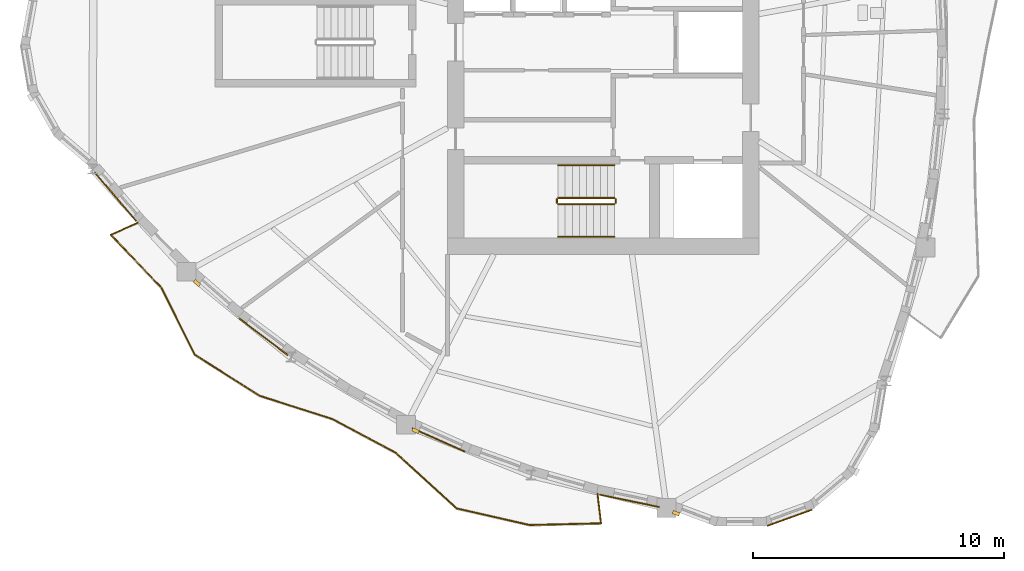
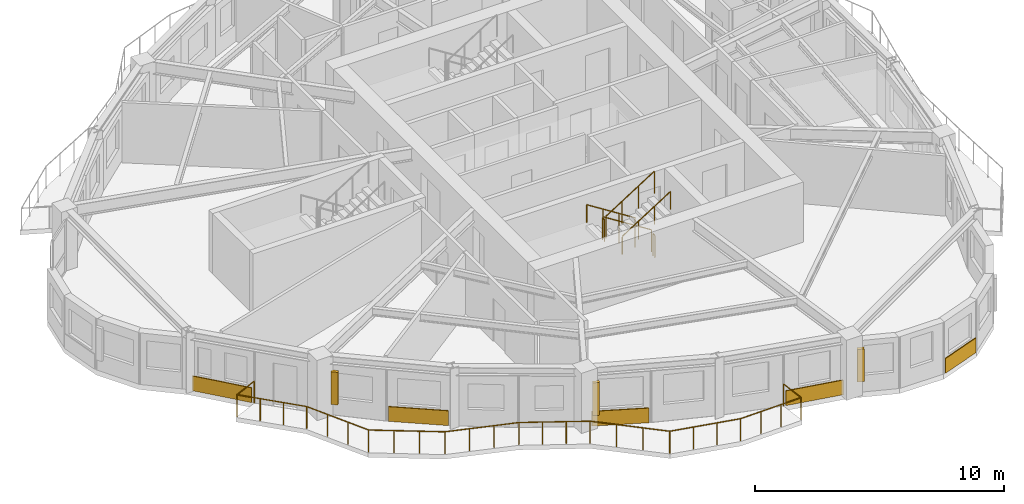
# One storey, part 10 of 13: 7 railings, 5 coverings, 3 shading devices.
"""IFC4 building model written with IfcOpenShell, lengths in metres."""

from ifc_helpers import new_model, si_unit, direction, frame, origin, origin_2d, place, context, subcontext, project, spatial, rectangle, circle, extrude, source, transform, mapped, material, layer, layer_set, type_object, element, save


model = new_model("IFC4")

# Units and contexts
model_context = context("Model", 3, precision=1e-05, world=origin(), true_north=direction((0.0, 1.0)))
body_context = subcontext(model_context, "Body", "Model", "MODEL_VIEW")
ifc_project = project(units=[si_unit("LENGTHUNIT", "METRE"), si_unit("AREAUNIT", "SQUARE_METRE"), si_unit("VOLUMEUNIT", "CUBIC_METRE"), si_unit("PLANEANGLEUNIT", "RADIAN"), si_unit("MASSUNIT", "GRAM", prefix="KILO")], contexts=[model_context])

# Site, building, storey
site_placement = place(None, origin())
site = spatial("IfcSite", under=ifc_project, at=site_placement, CompositionType="ELEMENT")
building_placement = place(site_placement, origin())
building = spatial("IfcBuilding", under=site, at=building_placement, Name="Qafzar Sky-Pleat Residences", CompositionType="ELEMENT")
storey_placement = place(building_placement, frame((0.0, 0.0, 136.199951171875)))
storey = spatial("IfcBuildingStorey", under=building, at=storey_placement, Name="L40", CompositionType="ELEMENT", Elevation=136.199951171875)

# Shading devices
ifc_material_1 = material(Name="Honed Riyadh limestone solar fin", Category="masonry")
ifc_layer_1 = layer(ifc_material_1, 0.139892578125)
ifc_layer_set_1 = layer_set([ifc_layer_1], Name="Honed Riyadh limestone solar fin")
shading_device_type = type_object("IfcShadingDeviceType", Name="SHD-FIN-STONE", PredefinedType="SHUTTER", material=ifc_layer_set_1)
shared_shape_1 = source(origin(), body_context, "Body", "SweptSolid", [
    extrude(rectangle(XDim=0.139892578125, YDim=0.280029296875, at=origin_2d()), origin(), (0.0, 0.0, 1.0), 1.60009765625),
])
for number, where, z_axis, x_axis, name in (
    (1, (14.178955078125, 16.413330078125, 0.60009765625), (0.0, 0.0, 1.0), (-0.660132960779, -0.751148769615, 0.0), "L40 Limestone Solar Fin 9"),
    (2, (22.881591796875, 10.528564453125, 0.60009765625), (0.0, 0.0, 1.0), (-0.407475255667, -0.913216248223, 0.0), "L40 Limestone Solar Fin 13"),
    (3, (33.251220703125, 7.247802734375, 0.60009765625), (0.0, 0.0, 1.0), (-0.349548623526, -0.936918224709, 0.0), "L40 Limestone Solar Fin 17"),
):
    element("IfcShadingDevice", number, at=place(storey_placement, frame(where, z_axis=z_axis, x_axis=x_axis)), inside=storey, type_object=shading_device_type, Name=name, PredefinedType="SHUTTER", context=body_context, shape_type="MappedRepresentation", body=[
        mapped(shared_shape_1, transform((0.0, 0.0, 0.0), x_axis=(1.0, 0.0, 0.0), y_axis=(0.0, 1.0, 0.0), z_axis=(0.0, 0.0, 1.0), scale=1.0)),
    ])

# Railing
ifc_material_2 = material(Name="Laminated glass and bronze steel balustrade", Category="steel")
railing_type_1 = type_object("IfcRailingType", Name="RAIL-BAL-1100", PredefinedType="BALUSTRADE", material=ifc_material_2)
shared_shape_2 = source(origin(), body_context, "Body", "SweptSolid", [
    extrude(circle(Radius=0.02392578125, at=origin_2d()), frame((0.0, 0.0, 1.076171875), z_axis=(-0.913854279683, -0.40604230753, 0.0), x_axis=(0.40604230753, -0.913854279683, 0.0)), (0.0, 0.0, 1.0), 1.177978515625),
    extrude(circle(Radius=0.02392578125, at=origin_2d()), frame((-1.076416015625, -0.478271484375, 1.076171875), z_axis=(0.689122792825, -0.724644586269, 0.0), x_axis=(0.724644586269, 0.689122792825, 0.0)), (0.0, 0.0, 1.0), 2.9208984375),
    extrude(circle(Radius=0.02392578125, at=origin_2d()), frame((0.9365234375, -2.594970703125, 1.076171875), z_axis=(0.446688581475, -0.89468950546, 0.0), x_axis=(0.89468950546, 0.446688581475, 0.0)), (0.0, 0.0, 1.0), 2.9765625),
    extrude(circle(Radius=0.02392578125, at=origin_2d()), frame((2.26611328125, -5.258056640625, 1.076171875), z_axis=(0.844789039348, -0.535099503829, 0.0), x_axis=(0.535099503829, 0.844789039348, 0.0)), (0.0, 0.0, 1.0), 3.06201171875),
    extrude(circle(Radius=0.02392578125, at=origin_2d()), frame((4.852783203125, -6.896484375, 1.076171875), z_axis=(0.952897316777, -0.303293098635, 0.0), x_axis=(0.303293098635, 0.952897316777, 0.0)), (0.0, 0.0, 1.0), 3.0419921875),
    extrude(circle(Radius=0.02392578125, at=origin_2d()), frame((7.75146484375, -7.819091796875, 1.076171875), z_axis=(0.881975846581, -0.471294606428, 0.0), x_axis=(0.471294606428, 0.881975846581, 0.0)), (0.0, 0.0, 1.0), 2.851806640625),
    extrude(circle(Radius=0.02392578125, at=origin_2d()), frame((10.2666015625, -9.1630859375, 1.076171875), z_axis=(0.73837595061, -0.674389320468, 0.0), x_axis=(0.674389320468, 0.73837595061, 0.0)), (0.0, 0.0, 1.0), 3.28125),
    extrude(circle(Radius=0.02392578125, at=origin_2d()), frame((12.689453125, -11.3759765625, 1.076171875), z_axis=(0.97508449736, -0.221833773369, 0.0), x_axis=(0.221833773369, 0.97508449736, 0.0)), (0.0, 0.0, 1.0), 2.97705078125),
    extrude(circle(Radius=0.02392578125, at=origin_2d()), frame((15.59228515625, -12.036376953125, 1.076171875), z_axis=(0.999727601991, 0.023339276263, 0.0), x_axis=(-0.023339276263, 0.999727601991, 0.0)), (0.0, 0.0, 1.0), 2.84521484375),
    extrude(circle(Radius=0.02392578125, at=origin_2d()), frame((18.436767578125, -11.969970703125, 1.076171875), z_axis=(-0.117526723313, 0.993069720265, 0.0), x_axis=(-0.993069720265, -0.117526723313, 0.0)), (0.0, 0.0, 1.0), 1.177734375),
    extrude(circle(Radius=0.02099609375, at=origin_2d()), origin(), (0.0, 0.0, 1.0), 1.052001953125),
    extrude(circle(Radius=0.02099609375, at=origin_2d()), frame((-1.076416015625, -0.478271484375, 0.0)), (0.0, 0.0, 1.0), 1.052001953125),
    extrude(circle(Radius=0.02099609375, at=origin_2d()), frame((-0.405517578125, -1.183837890625, 0.0)), (0.0, 0.0, 1.0), 1.052001953125),
    extrude(circle(Radius=0.02099609375, at=origin_2d()), frame((0.265625, -1.889404296875, 0.0)), (0.0, 0.0, 1.0), 1.052001953125),
    extrude(circle(Radius=0.02099609375, at=origin_2d()), frame((0.9365234375, -2.594970703125, 0.0)), (0.0, 0.0, 1.0), 1.052001953125),
    extrude(circle(Radius=0.02099609375, at=origin_2d()), frame((1.379638671875, -3.482666015625, 0.0)), (0.0, 0.0, 1.0), 1.052001953125),
    extrude(circle(Radius=0.02099609375, at=origin_2d()), frame((1.822998046875, -4.370361328125, 0.0)), (0.0, 0.0, 1.0), 1.052001953125),
    extrude(circle(Radius=0.02099609375, at=origin_2d()), frame((2.26611328125, -5.258056640625, 0.0)), (0.0, 0.0, 1.0), 1.052001953125),
    extrude(circle(Radius=0.02099609375, at=origin_2d()), frame((3.12841796875, -5.80419921875, 0.0)), (0.0, 0.0, 1.0), 1.052001953125),
    extrude(circle(Radius=0.02099609375, at=origin_2d()), frame((3.990478515625, -6.350341796875, 0.0)), (0.0, 0.0, 1.0), 1.052001953125),
    extrude(circle(Radius=0.02099609375, at=origin_2d()), frame((4.852783203125, -6.896484375, 0.0)), (0.0, 0.0, 1.0), 1.052001953125),
    extrude(circle(Radius=0.02099609375, at=origin_2d()), frame((5.819091796875, -7.2041015625, 0.0)), (0.0, 0.0, 1.0), 1.052001953125),
    extrude(circle(Radius=0.02099609375, at=origin_2d()), frame((6.78515625, -7.511474609375, 0.0)), (0.0, 0.0, 1.0), 1.052001953125),
    extrude(circle(Radius=0.02099609375, at=origin_2d()), frame((7.75146484375, -7.819091796875, 0.0)), (0.0, 0.0, 1.0), 1.052001953125),
    extrude(circle(Radius=0.02099609375, at=origin_2d()), frame((8.58984375, -8.26708984375, 0.0)), (0.0, 0.0, 1.0), 1.052001953125),
    extrude(circle(Radius=0.02099609375, at=origin_2d()), frame((9.42822265625, -8.715087890625, 0.0)), (0.0, 0.0, 1.0), 1.052001953125),
    extrude(circle(Radius=0.02099609375, at=origin_2d()), frame((10.2666015625, -9.1630859375, 0.0)), (0.0, 0.0, 1.0), 1.052001953125),
    extrude(circle(Radius=0.02099609375, at=origin_2d()), frame((11.07421875, -9.900634765625, 0.0)), (0.0, 0.0, 1.0), 1.052001953125),
    extrude(circle(Radius=0.02099609375, at=origin_2d()), frame((11.8818359375, -10.638427734375, 0.0)), (0.0, 0.0, 1.0), 1.052001953125),
    extrude(circle(Radius=0.02099609375, at=origin_2d()), frame((12.689453125, -11.3759765625, 0.0)), (0.0, 0.0, 1.0), 1.052001953125),
    extrude(circle(Radius=0.02099609375, at=origin_2d()), frame((13.656982421875, -11.59619140625, 0.0)), (0.0, 0.0, 1.0), 1.052001953125),
    extrude(circle(Radius=0.02099609375, at=origin_2d()), frame((14.624755859375, -11.816162109375, 0.0)), (0.0, 0.0, 1.0), 1.052001953125),
    extrude(circle(Radius=0.02099609375, at=origin_2d()), frame((15.59228515625, -12.036376953125, 0.0)), (0.0, 0.0, 1.0), 1.052001953125),
    extrude(circle(Radius=0.02099609375, at=origin_2d()), frame((16.54052734375, -12.01416015625, 0.0)), (0.0, 0.0, 1.0), 1.052001953125),
    extrude(circle(Radius=0.02099609375, at=origin_2d()), frame((17.488525390625, -11.9921875, 0.0)), (0.0, 0.0, 1.0), 1.052001953125),
    extrude(circle(Radius=0.02099609375, at=origin_2d()), frame((18.436767578125, -11.969970703125, 0.0)), (0.0, 0.0, 1.0), 1.052001953125),
    extrude(circle(Radius=0.02099609375, at=origin_2d()), frame((18.29833984375, -10.80029296875, 0.0)), (0.0, 0.0, 1.0), 1.052001953125),
])
railing_1_placement = place(storey_placement, frame((11.8291015625, 18.81396484375, 0.0)))
element("IfcRailing", 4, at=railing_1_placement, inside=storey, type_object=railing_type_1, Name="L40 Pleated Balcony 3 Balustrade", PredefinedType="BALUSTRADE", context=body_context, shape_type="MappedRepresentation", body=[
    mapped(shared_shape_2, transform((0.0, 0.0, 0.0), x_axis=(1.0, 0.0, 0.0), y_axis=(0.0, 1.0, 0.0), z_axis=(0.0, 0.0, 1.0), scale=1.0)),
])

# Coverings
ifc_material_3 = material(Name="Honed Riyadh Tuwaiq limestone cladding", Category="masonry")
ifc_layer_2 = layer(ifc_material_3, 0.044921875)
ifc_layer_set_2 = layer_set([ifc_layer_2], Name="Honed Riyadh Tuwaiq limestone cladding")
covering_type = type_object("IfcCoveringType", Name="COV-CLAD-STONE", PredefinedType="CLADDING", material=ifc_layer_set_2)
shared_shape_3 = source(origin(), body_context, "Body", "SweptSolid", [
    extrude(rectangle(XDim=2.540771484375, YDim=0.044921875, at=origin_2d()), origin(), (0.0, 0.0, 1.0), 0.719970703125),
])
covering_1_placement = place(storey_placement, frame((10.93017578125, 19.847900390625, 0.02001953125), z_axis=(0.0, 0.0, 1.0), x_axis=(0.650356635894, -0.759629018764, 0.0)))
element("IfcCovering", 5, at=covering_1_placement, inside=storey, type_object=covering_type, Name="L40 Riyadh Limestone Spandrel Cladding 7", PredefinedType="CLADDING", context=body_context, shape_type="MappedRepresentation", body=[
    mapped(shared_shape_3, transform((0.0, 0.0, 0.0), x_axis=(1.0, 0.0, 0.0), y_axis=(0.0, 1.0, 0.0), z_axis=(0.0, 0.0, 1.0), scale=1.0)),
])
shared_shape_4 = source(origin(), body_context, "Body", "SweptSolid", [
    extrude(rectangle(XDim=2.42041015625, YDim=0.044921875, at=origin_2d()), origin(), (0.0, 0.0, 1.0), 0.719970703125),
])
covering_2_placement = place(storey_placement, frame((16.825927734375, 14.2734375, 0.02001953125), z_axis=(0.0, 0.0, 1.0), x_axis=(0.798068371718, -0.602566904222, 0.0)))
element("IfcCovering", 6, at=covering_2_placement, inside=storey, type_object=covering_type, Name="L40 Riyadh Limestone Spandrel Cladding 10", PredefinedType="CLADDING", context=body_context, shape_type="MappedRepresentation", body=[
    mapped(shared_shape_4, transform((0.0, 0.0, 0.0), x_axis=(1.0, 0.0, 0.0), y_axis=(0.0, 1.0, 0.0), z_axis=(0.0, 0.0, 1.0), scale=1.0)),
])
shared_shape_5 = source(origin(), body_context, "Body", "SweptSolid", [
    extrude(rectangle(XDim=2.298828125, YDim=0.044921875, at=origin_2d()), origin(), (0.0, 0.0, 1.0), 0.719970703125),
])
covering_3_placement = place(storey_placement, frame((23.798583984375, 10.16650390625, 0.02001953125), z_axis=(0.0, 0.0, 1.0), x_axis=(0.913222957215, -0.407460219427, 0.0)))
element("IfcCovering", 7, at=covering_3_placement, inside=storey, type_object=covering_type, Name="L40 Riyadh Limestone Spandrel Cladding 13", PredefinedType="CLADDING", context=body_context, shape_type="MappedRepresentation", body=[
    mapped(shared_shape_5, transform((0.0, 0.0, 0.0), x_axis=(1.0, 0.0, 0.0), y_axis=(0.0, 1.0, 0.0), z_axis=(0.0, 0.0, 1.0), scale=1.0)),
])
shared_shape_6 = source(origin(), body_context, "Body", "SweptSolid", [
    extrude(rectangle(XDim=2.41943359375, YDim=0.044921875, at=origin_2d()), origin(), (0.0, 0.0, 1.0), 0.719970703125),
])
covering_4_placement = place(storey_placement, frame((31.400634765625, 7.739990234375, 0.02001953125), z_axis=(0.0, 0.0, 1.0), x_axis=(0.979325013532, -0.202293148352, 0.0)))
element("IfcCovering", 8, at=covering_4_placement, inside=storey, type_object=covering_type, Name="L40 Riyadh Limestone Spandrel Cladding 16", PredefinedType="CLADDING", context=body_context, shape_type="MappedRepresentation", body=[
    mapped(shared_shape_6, transform((0.0, 0.0, 0.0), x_axis=(1.0, 0.0, 0.0), y_axis=(0.0, 1.0, 0.0), z_axis=(0.0, 0.0, 1.0), scale=1.0)),
])
shared_shape_7 = source(origin(), body_context, "Body", "SweptSolid", [
    extrude(rectangle(XDim=1.897705078125, YDim=0.044921875, at=origin_2d()), origin(), (0.0, 0.0, 1.0), 0.719970703125),
])
covering_5_placement = place(storey_placement, frame((37.773193359375, 7.063232421875, 0.02001953125), z_axis=(0.0, 0.0, 1.0), x_axis=(0.940241244016, 0.340509035199, 0.0)))
element("IfcCovering", 9, at=covering_5_placement, inside=storey, type_object=covering_type, Name="L40 Riyadh Limestone Spandrel Cladding 19", PredefinedType="CLADDING", context=body_context, shape_type="MappedRepresentation", body=[
    mapped(shared_shape_7, transform((0.0, 0.0, 0.0), x_axis=(1.0, 0.0, 0.0), y_axis=(0.0, 1.0, 0.0), z_axis=(0.0, 0.0, 1.0), scale=1.0)),
])

# Railings
ifc_material_4 = material(Name="Painted Steel S355 stair guardrail", Category="steel")
railing_type_2 = type_object("IfcRailingType", Name="RAIL-STAIR-GUARD", PredefinedType="GUARDRAIL", material=ifc_material_4)
shared_shape_8 = source(origin(), body_context, "Body", "SweptSolid", [
    extrude(circle(Radius=0.02392578125, at=origin_2d()), frame((0.0, 0.0, 1.076171875), z_axis=(0.0, -1.0, 0.0), x_axis=(1.0, 0.0, 0.0)), (0.0, 0.0, 1.0), 0.14990234375),
    extrude(circle(Radius=0.02099609375, at=origin_2d()), origin(), (0.0, 0.0, 1.0), 1.052001953125),
    extrude(circle(Radius=0.02099609375, at=origin_2d()), frame((0.0, -0.14990234375, 0.0)), (0.0, 0.0, 1.0), 1.052001953125),
])
for number, where, name in (
    (10, (28.510009765625, 19.75, 1.60009765625), "L40 ST1 stair guard 2"),
    (11, (30.85009765625, 19.75, 0.0), "L40 ST1 stair guard 4"),
):
    element("IfcRailing", number, at=place(storey_placement, frame(where)), inside=storey, type_object=railing_type_2, Name=name, PredefinedType="GUARDRAIL", context=body_context, shape_type="MappedRepresentation", body=[
        mapped(shared_shape_8, transform((0.0, 0.0, 0.0), x_axis=(1.0, 0.0, 0.0), y_axis=(0.0, 1.0, 0.0), z_axis=(0.0, 0.0, 1.0), scale=1.0)),
    ])
shared_shape_9 = source(origin(), body_context, "Body", "SweptSolid", [
    extrude(circle(Radius=0.02392578125, at=origin_2d()), frame((0.0, 0.0, 1.076171875), z_axis=(0.8442293374, 0.0, 0.53598211339), x_axis=(0.0, 1.0, 0.0)), (0.0, 0.0, 1.0), 2.6533203125),
    extrude(circle(Radius=0.02099609375, at=origin_2d()), origin(), (0.0, 0.0, 1.0), 1.052001953125),
    extrude(circle(Radius=0.02099609375, at=origin_2d()), frame((0.74658203125, 0.0, 0.47412109375)), (0.0, 0.0, 1.0), 1.052001953125),
    extrude(circle(Radius=0.02099609375, at=origin_2d()), frame((1.493408203125, 0.0, 0.947998046875)), (0.0, 0.0, 1.0), 1.052001953125),
    extrude(circle(Radius=0.02099609375, at=origin_2d()), frame((2.239990234375, 0.0, 1.422119140625)), (0.0, 0.0, 1.0), 1.052001953125),
])
railing_2_placement = place(storey_placement, frame((28.56005859375, 19.550048828125, 1.77783203125)))
element("IfcRailing", 12, at=railing_2_placement, inside=storey, type_object=railing_type_2, Name="L40 ST1 stair guard 3", PredefinedType="GUARDRAIL", context=body_context, shape_type="MappedRepresentation", body=[
    mapped(shared_shape_9, transform((0.0, 0.0, 0.0), x_axis=(1.0, 0.0, 0.0), y_axis=(0.0, 1.0, 0.0), z_axis=(0.0, 0.0, 1.0), scale=1.0)),
])
ifc_material_5 = material(Name="Brushed stainless steel handrail", Category="steel")
railing_type_3 = type_object("IfcRailingType", Name="RAIL-STAIR-HAND", PredefinedType="HANDRAIL", material=ifc_material_5)
shared_shape_10 = source(origin(), body_context, "Body", "SweptSolid", [
    extrude(circle(Radius=0.02392578125, at=origin_2d()), frame((0.0, 0.0, 0.8759765625), z_axis=(0.8442293374, 0.0, 0.53598211339), x_axis=(0.0, 1.0, 0.0)), (0.0, 0.0, 1.0), 2.6533203125),
    extrude(circle(Radius=0.02099609375, at=origin_2d()), origin(), (0.0, 0.0, 1.0), 0.851806640625),
    extrude(circle(Radius=0.02099609375, at=origin_2d()), frame((0.74658203125, 0.0, 0.47412109375)), (0.0, 0.0, 1.0), 0.851806640625),
    extrude(circle(Radius=0.02099609375, at=origin_2d()), frame((1.493408203125, 0.0, 0.947998046875)), (0.0, 0.0, 1.0), 0.851806640625),
    extrude(circle(Radius=0.02099609375, at=origin_2d()), frame((2.239990234375, 0.0, 1.422119140625)), (0.0, 0.0, 1.0), 0.851806640625),
])
railing_3_placement = place(storey_placement, frame((28.56005859375, 18.25, 1.77783203125)))
element("IfcRailing", 13, at=railing_3_placement, inside=storey, type_object=railing_type_3, Name="L40 ST1 stair handrail 2", PredefinedType="HANDRAIL", context=body_context, shape_type="MappedRepresentation", body=[
    mapped(shared_shape_10, transform((0.0, 0.0, 0.0), x_axis=(1.0, 0.0, 0.0), y_axis=(0.0, 1.0, 0.0), z_axis=(0.0, 0.0, 1.0), scale=1.0)),
])
shared_shape_11 = source(origin(), body_context, "Body", "SweptSolid", [
    extrude(circle(Radius=0.02392578125, at=origin_2d()), frame((0.0, 0.0, 1.076171875), z_axis=(-0.84418770128, 0.0, 0.536047689118), x_axis=(0.0, -1.0, 0.0)), (0.0, 0.0, 1.0), 2.6533203125),
    extrude(circle(Radius=0.02099609375, at=origin_2d()), origin(), (0.0, 0.0, 1.0), 1.052001953125),
    extrude(circle(Radius=0.02099609375, at=origin_2d()), frame((-0.74658203125, 0.0, 0.47412109375)), (0.0, 0.0, 1.0), 1.052001953125),
    extrude(circle(Radius=0.02099609375, at=origin_2d()), frame((-1.493408203125, 0.0, 0.9482421875)), (0.0, 0.0, 1.0), 1.052001953125),
    extrude(circle(Radius=0.02099609375, at=origin_2d()), frame((-2.239990234375, 0.0, 1.42236328125)), (0.0, 0.0, 1.0), 1.052001953125),
])
railing_4_placement = place(storey_placement, frame((30.800048828125, 19.800048828125, 0.177734375)))
element("IfcRailing", 14, at=railing_4_placement, inside=storey, type_object=railing_type_2, Name="L40 ST1 stair guard 1", PredefinedType="GUARDRAIL", context=body_context, shape_type="MappedRepresentation", body=[
    mapped(shared_shape_11, transform((0.0, 0.0, 0.0), x_axis=(1.0, 0.0, 0.0), y_axis=(0.0, 1.0, 0.0), z_axis=(0.0, 0.0, 1.0), scale=1.0)),
])
shared_shape_12 = source(origin(), body_context, "Body", "SweptSolid", [
    extrude(circle(Radius=0.02392578125, at=origin_2d()), frame((0.0, 0.0, 0.8759765625), z_axis=(-0.84418770128, 0.0, 0.536047689118), x_axis=(0.0, -1.0, 0.0)), (0.0, 0.0, 1.0), 2.6533203125),
    extrude(circle(Radius=0.02099609375, at=origin_2d()), origin(), (0.0, 0.0, 1.0), 0.851806640625),
    extrude(circle(Radius=0.02099609375, at=origin_2d()), frame((-0.74658203125, 0.0, 0.47412109375)), (0.0, 0.0, 1.0), 0.851806640625),
    extrude(circle(Radius=0.02099609375, at=origin_2d()), frame((-1.493408203125, 0.0, 0.9482421875)), (0.0, 0.0, 1.0), 0.851806640625),
    extrude(circle(Radius=0.02099609375, at=origin_2d()), frame((-2.239990234375, 0.0, 1.42236328125)), (0.0, 0.0, 1.0), 0.851806640625),
])
railing_5_placement = place(storey_placement, frame((30.800048828125, 21.10009765625, 0.177734375)))
element("IfcRailing", 15, at=railing_5_placement, inside=storey, type_object=railing_type_3, Name="L40 ST1 stair handrail 1", PredefinedType="HANDRAIL", context=body_context, shape_type="MappedRepresentation", body=[
    mapped(shared_shape_12, transform((0.0, 0.0, 0.0), x_axis=(1.0, 0.0, 0.0), y_axis=(0.0, 1.0, 0.0), z_axis=(0.0, 0.0, 1.0), scale=1.0)),
])

save(model, "model.ifc")
